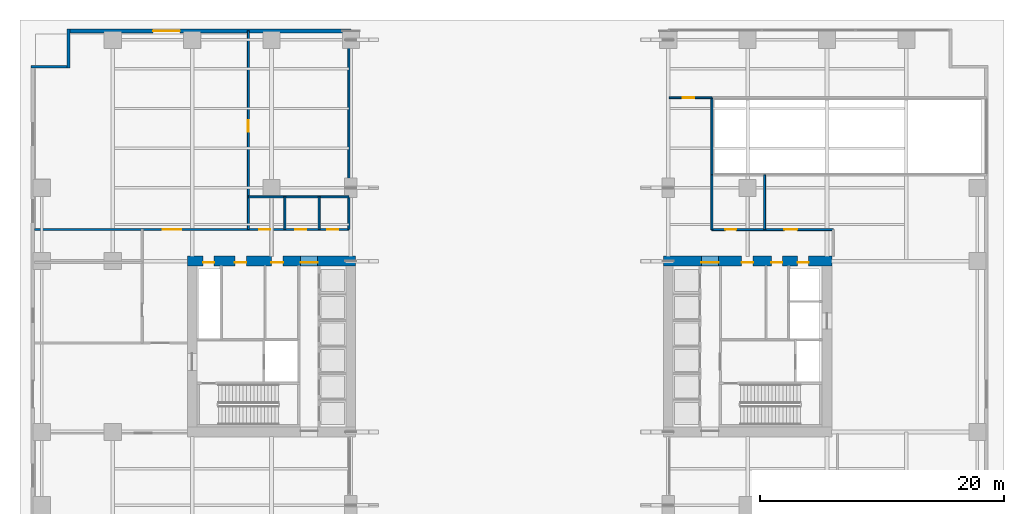
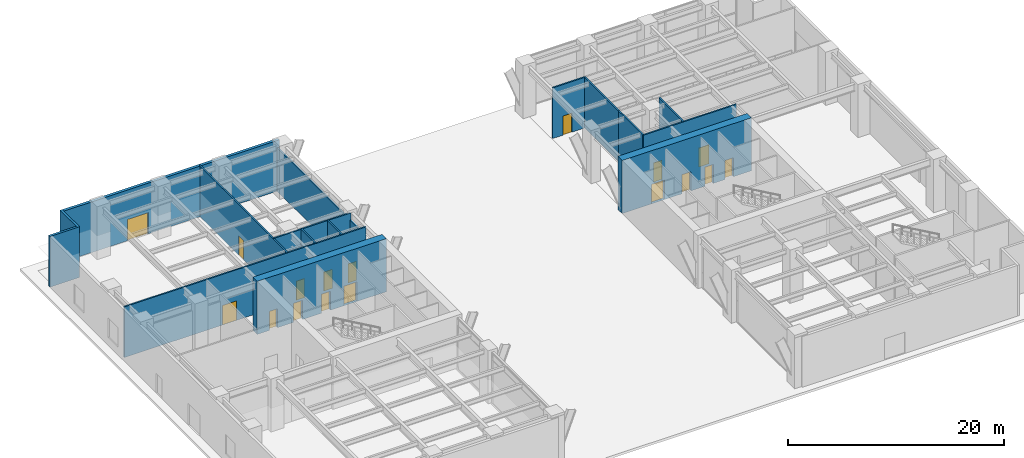
# One storey, part 14 of 20: 17 doors, 16 walls, 17 openings.
"""IFC4 building model written with IfcOpenShell, lengths in metres."""

import ifcopenshell
import ifcopenshell.guid

model = None  # the IFC model being written
_history = None  # IfcOwnerHistory: only IFC2X3 demands one
_inside = {}  # id of a spatial element -> (the spatial element, [elements in it])
_under = {}  # id of a project, library or spatial element -> (it, [spatial elements below it])
_declared = {}  # id of a project -> (the project, [libraries it declares])
_typed = {}  # id of a type object -> (the type object, [elements of that type])
_made_of = {}  # id of a material, layer set ... -> (it, [elements and type objects made of it])


def new_model(schema):
    """Start an empty IFC model of exactly this schema.

    Asked for "IFC4X3", IfcOpenShell would pick the latest addendum, in which some entities
    have other attributes; the version numbers below select the first issue.
    IFC2X3 requires an IfcOwnerHistory on every rooted entity: one is made here for all.
    """
    global model, _history
    if schema == "IFC4X3":
        model = ifcopenshell.file(schema_version=(4, 3, 0, 0))
    else:
        model = ifcopenshell.file(schema=schema)
    _inside.clear()
    _under.clear()
    _declared.clear()
    _typed.clear()
    _made_of.clear()
    _history = None
    if model.schema == "IFC2X3":
        org = make("IfcOrganization", Name="unknown")
        user = make(
            "IfcPersonAndOrganization",
            ThePerson=make("IfcPerson", FamilyName="unknown"),
            TheOrganization=org,
        )
        app = make(
            "IfcApplication",
            ApplicationDeveloper=org,
            Version="unknown",
            ApplicationFullName="unknown",
            ApplicationIdentifier="unknown",
        )
        _history = make(
            "IfcOwnerHistory",
            OwningUser=user,
            OwningApplication=app,
            ChangeAction="ADDED",
            CreationDate=0,
        )
    return model


def make(cls, **values):
    """One entity of the class cls with the attributes given. An attribute that is None is left unset."""
    return model.create_entity(
        cls, **{name: value for name, value in values.items() if value is not None}
    )


def rooted(cls, **values):
    """An entity with a GlobalId (a new one), such as an element, a storey or a relation."""
    return make(cls, GlobalId=ifcopenshell.guid.new(), OwnerHistory=_history, **values)


def si_unit(unit_type, name, prefix=None):
    """IfcSIUnit, for example si_unit("LENGTHUNIT", "METRE", prefix="MILLI")."""
    return make("IfcSIUnit", UnitType=unit_type, Prefix=prefix, Name=name)


def assignment(units):
    """IfcUnitAssignment: the units of a project."""
    return None if units is None else make("IfcUnitAssignment", Units=units)


def point(xyz):
    """IfcCartesianPoint."""
    return None if xyz is None else make("IfcCartesianPoint", Coordinates=xyz)


def direction(xyz):
    """IfcDirection."""
    return None if xyz is None else make("IfcDirection", DirectionRatios=xyz)


def frame(location, z_axis=None, x_axis=None):
    """IfcAxis2Placement3D, a coordinate frame: its origin and axes. An axis left out is left unset."""
    return make(
        "IfcAxis2Placement3D",
        Location=point(location),
        Axis=direction(z_axis),
        RefDirection=direction(x_axis),
    )


def frame_2d(location, x_axis=None):
    """IfcAxis2Placement2D, a coordinate frame in the plane: its origin and x axis."""
    return make(
        "IfcAxis2Placement2D", Location=point(location), RefDirection=direction(x_axis)
    )


def origin():
    """The frame at (0, 0, 0) with its axes left unset."""
    return frame((0.0, 0.0, 0.0))


def place(relative_to, where):
    """IfcLocalPlacement: puts the frame where relative to a parent placement (None: the world)."""
    return make(
        "IfcLocalPlacement", PlacementRelTo=relative_to, RelativePlacement=where
    )


def context(
    kind, dimensions, precision=None, world=None, true_north=None, identifier=None
):
    """IfcGeometricRepresentationContext, for example the 3D "Model" context."""
    return make(
        "IfcGeometricRepresentationContext",
        ContextIdentifier=identifier,
        ContextType=kind,
        CoordinateSpaceDimension=dimensions,
        Precision=precision,
        WorldCoordinateSystem=world,
        TrueNorth=true_north,
    )


def subcontext(parent, identifier, kind, view, scale=None):
    """IfcGeometricRepresentationSubContext, for example "Body" below "Model"."""
    return make(
        "IfcGeometricRepresentationSubContext",
        ContextIdentifier=identifier,
        ContextType=kind,
        ParentContext=parent,
        TargetScale=scale,
        TargetView=view,
    )


def project(units=None, contexts=None):
    """IfcProject with its units and contexts."""
    return rooted(
        "IfcProject",
        Name="project",
        RepresentationContexts=contexts,
        UnitsInContext=assignment(units),
    )


def spatial(cls, under=None, at=None, **own):
    """A site, building, storey or space (cls), placed at a placement, below another one or the project."""
    s = rooted(cls, ObjectPlacement=at, **own)
    if under is not None:
        _under.setdefault(under.id(), (under, []))[1].append(s)
    return s


def profile(cls, at=None, kind="AREA", **sizes):
    """A parametric profile (cls). Its sizes go by their IFC names, for example OverallWidth=200.0."""
    return make(cls, ProfileType=kind, Position=at, **sizes)


def rectangle(**sizes):
    """IfcRectangleProfileDef."""
    return profile("IfcRectangleProfileDef", **sizes)


def extrude(swept, where, along, depth):
    """IfcExtrudedAreaSolid: the profile swept, set in the frame where, extruded along a direction by depth."""
    return make(
        "IfcExtrudedAreaSolid",
        SweptArea=swept,
        Position=where,
        ExtrudedDirection=direction(along),
        Depth=depth,
    )


def shape(context_of_items, identifier, shape_type, items):
    """IfcShapeRepresentation: the items that make up one representation, for example the "Body"."""
    return make(
        "IfcShapeRepresentation",
        ContextOfItems=context_of_items,
        RepresentationIdentifier=identifier,
        RepresentationType=shape_type,
        Items=items,
    )


def material(Name=None, Category=None):
    """IfcMaterial."""
    return make("IfcMaterial", Name=Name, Category=Category)


def layer(
    of_material, thickness, ventilated=None, Name=None, Category=None, Priority=None
):
    """IfcMaterialLayer: one layer of a wall or slab, of a material (None: an air gap)."""
    return make(
        "IfcMaterialLayer",
        Material=of_material,
        LayerThickness=thickness,
        IsVentilated=ventilated,
        Name=Name,
        Category=Category,
        Priority=Priority,
    )


def layer_set(layers, Name=None):
    """IfcMaterialLayerSet."""
    return make("IfcMaterialLayerSet", MaterialLayers=layers, LayerSetName=Name)


def made_of(thing, what):
    """Note that an element or type object is made of a material, layer set ...; save() writes the relation."""
    if what is not None:
        _made_of.setdefault(what.id(), (what, []))[1].append(thing)
    return thing


def type_object(cls, material=None, **own):
    """A type object (cls), such as IfcWallType, which elements share."""
    return made_of(rooted(cls, **own), material)


def element(
    cls,
    number,
    at=None,
    inside=None,
    cuts=None,
    type_object=None,
    material=None,
    context=None,
    identifier="Body",
    shape_type=None,
    held_by="IfcProductDefinitionShape",
    body=None,
    shapes=None,
    **own,
):
    """One element of the class cls, such as IfcWall. Its Tag is "e" and its number.

    at: its placement. inside: the storey or other place that contains it. cuts: it is an
    opening in that element (IfcRelVoidsElement). A single representation is given by context,
    identifier, shape_type and body (its items); several are given by shapes. held_by: the class
    of the entity that holds the representations. save() writes the other relations.
    """
    e = rooted(cls, Tag="e%d" % number, ObjectPlacement=at, **own)
    if body is not None:
        shapes = [shape(context, identifier, shape_type, body)]
    if shapes is not None:
        e.Representation = make(held_by, Representations=shapes)
    if inside is not None:
        _inside.setdefault(inside.id(), (inside, []))[1].append(e)
    if cuts is not None:
        rooted(
            "IfcRelVoidsElement", RelatingBuildingElement=cuts, RelatedOpeningElement=e
        )
    if type_object is not None:
        _typed.setdefault(type_object.id(), (type_object, []))[1].append(e)
    return made_of(e, material)


def fill(opening, filler):
    """IfcRelFillsElement: the door or window that sits in an opening."""
    return rooted(
        "IfcRelFillsElement",
        RelatingOpeningElement=opening,
        RelatedBuildingElement=filler,
    )


def aggregate(whole, parts):
    """IfcRelAggregates: a whole, such as a stair, and the parts it consists of."""
    return rooted("IfcRelAggregates", RelatingObject=whole, RelatedObjects=parts)


def save(model, path):
    """Write the relations noted so far, then the file.

    IfcRelAggregates (storeys below a building ...), IfcRelContainedInSpatialStructure (elements
    in a storey), IfcRelDefinesByType, IfcRelAssociatesMaterial and IfcRelDeclares: one each for
    every whole, place, type object, material and project.
    """
    for whole, parts in _under.values():
        aggregate(whole, parts)
    for where, things in _inside.values():
        rooted(
            "IfcRelContainedInSpatialStructure",
            RelatedElements=things,
            RelatingStructure=where,
        )
    for kind, things in _typed.values():
        rooted("IfcRelDefinesByType", RelatedObjects=things, RelatingType=kind)
    for what, things in _made_of.values():
        rooted("IfcRelAssociatesMaterial", RelatedObjects=things, RelatingMaterial=what)
    for by, libraries in _declared.values():
        rooted("IfcRelDeclares", RelatingContext=by, RelatedDefinitions=libraries)
    model.write(path)


model = new_model("IFC4")

# Units and contexts
model_context = context("Model", 3, precision=1e-05, world=origin(), true_north=direction((0.0, 1.0)))
body_context = subcontext(model_context, "Body", "Model", "MODEL_VIEW")
ifc_project = project(units=[si_unit("LENGTHUNIT", "METRE"), si_unit("AREAUNIT", "SQUARE_METRE"), si_unit("VOLUMEUNIT", "CUBIC_METRE"), si_unit("PLANEANGLEUNIT", "RADIAN"), si_unit("MASSUNIT", "GRAM", prefix="KILO")], contexts=[model_context])

# Site, building, storey
site_placement = place(None, origin())
site = spatial("IfcSite", under=ifc_project, at=site_placement, CompositionType="ELEMENT")
building_placement = place(site_placement, origin())
building = spatial("IfcBuilding", under=site, at=building_placement, Name="Putna Gate Headquarters", CompositionType="ELEMENT")
storey_placement = place(building_placement, origin())
storey = spatial("IfcBuildingStorey", under=building, at=storey_placement, Name="L00", CompositionType="ELEMENT", Elevation=0.0)

# Wall, openings, doors
ifc_material_1 = material(Name="Concrete C60/75", Category="concrete")
ifc_layer_1 = layer(ifc_material_1, 0.800048828125)
ifc_layer_set_1 = layer_set([ifc_layer_1], Name="Concrete C60/75")
wall_type_1 = type_object("IfcWallType", Name="WALL-CORE-800", PredefinedType="SHEAR", material=ifc_layer_set_1)
wall_1_placement = place(storey_placement, frame((12.60009765625, 33.0, 0.0), z_axis=(0.0, 0.0, 1.0), x_axis=(1.0, 0.0, 0.0)))
wall_1 = element("IfcWall", 1, at=wall_1_placement, inside=storey, type_object=wall_type_1, Name="L00 WC Split Core Shear Wall N", PredefinedType="SHEAR", context=body_context, shape_type="SweptSolid", body=[
    extrude(rectangle(XDim=13.7998046875, YDim=0.800048828125, at=frame_2d((6.89990234375, 0.0))), origin(), (0.0, 0.0, 1.0), 6.0),
])
opening_1_placement = place(wall_1_placement, frame((1.300048828125, 0.0, 0.0)))
opening_1 = element("IfcOpeningElement", 2, at=opening_1_placement, cuts=wall_1, Name="Opening RD-90", PredefinedType="OPENING", context=body_context, shape_type="SweptSolid", body=[
    extrude(rectangle(XDim=0.89990234375, YDim=2.14990234375, at=frame_2d((0.449951171875, 1.074951171875))), frame((0.0, 0.409912109375, 0.0), z_axis=(0.0, -1.0, 0.0), x_axis=(1.0, 0.0, 0.0)), (0.0, 0.0, 1.0), 0.820068359375),
])
opening_2_placement = place(wall_1_placement, frame((3.89990234375, 0.0, 0.0)))
opening_2 = element("IfcOpeningElement", 3, at=opening_2_placement, cuts=wall_1, Name="Opening IDS-95", PredefinedType="OPENING", context=body_context, shape_type="SweptSolid", body=[
    extrude(rectangle(XDim=0.949951171875, YDim=2.14990234375, at=frame_2d((0.47509765625, 1.074951171875))), frame((0.0, 0.409912109375, 0.0), z_axis=(0.0, -1.0, 0.0), x_axis=(1.0, 0.0, 0.0)), (0.0, 0.0, 1.0), 0.820068359375),
])
opening_3_placement = place(wall_1_placement, frame((6.89990234375, 0.0, 0.0)))
opening_3 = element("IfcOpeningElement", 4, at=opening_3_placement, cuts=wall_1, Name="Opening IDS-95", PredefinedType="OPENING", context=body_context, shape_type="SweptSolid", body=[
    extrude(rectangle(XDim=0.949951171875, YDim=2.14990234375, at=frame_2d((0.47509765625, 1.074951171875))), frame((0.0, 0.409912109375, 0.0), z_axis=(0.0, -1.0, 0.0), x_axis=(1.0, 0.0, 0.0)), (0.0, 0.0, 1.0), 0.820068359375),
])
opening_4_placement = place(wall_1_placement, frame((9.280029296875, 0.0, 0.0)))
opening_4 = element("IfcOpeningElement", 5, at=opening_4_placement, cuts=wall_1, Name="Opening FDD-140", PredefinedType="OPENING", context=body_context, shape_type="SweptSolid", body=[
    extrude(rectangle(XDim=1.39990234375, YDim=2.199951171875, at=frame_2d((0.699951171875, 1.10009765625))), frame((0.0, 0.409912109375, 0.0), z_axis=(0.0, -1.0, 0.0), x_axis=(1.0, 0.0, 0.0)), (0.0, 0.0, 1.0), 0.820068359375),
])
ifc_material_2 = material(Name="Double steel fire door", Category="steel")
door_type_1 = type_object("IfcDoorType", Name="DOOR-FIRE-DBL-1400", OperationType="DOUBLE_DOOR_SINGLE_SWING", PredefinedType="DOOR", material=ifc_material_2)
door_1_placement = place(opening_4_placement, origin())
door_1 = element("IfcDoor", 6, at=door_1_placement, inside=storey, type_object=door_type_1, Name="L00 West Lift Lobby North Door", OperationType="DOUBLE_DOOR_SINGLE_SWING", OverallHeight=2.199951171875, OverallWidth=1.39990234375, PredefinedType="DOOR", context=body_context, shape_type="SweptSolid", body=[
    extrude(rectangle(XDim=1.39990234375, YDim=2.199951171875, at=frame_2d((0.699951171875, 1.10009765625))), frame((0.0, -0.0751953125, 0.0), z_axis=(0.0, -1.0, 0.0), x_axis=(1.0, 0.0, 0.0)), (0.0, 0.0, 1.0), 0.050048828125),
])
fill(opening_4, door_1)
ifc_material_3 = material(Name="Fire-rated service timber door", Category="wood")
door_type_2 = type_object("IfcDoorType", Name="DOOR-INT-950", OperationType="NOTDEFINED", PredefinedType="DOOR", material=ifc_material_3)
door_2_placement = place(opening_2_placement, origin())
door_2 = element("IfcDoor", 7, at=door_2_placement, inside=storey, type_object=door_type_2, Name="L00 Cleaner Store Door", OperationType="SINGLE_SWING_LEFT", OverallHeight=2.14990234375, OverallWidth=0.949951171875, PredefinedType="DOOR", context=body_context, shape_type="SweptSolid", body=[
    extrude(rectangle(XDim=0.949951171875, YDim=2.14990234375, at=frame_2d((0.47509765625, 1.074951171875))), frame((0.0, -0.0751953125, 0.0), z_axis=(0.0, -1.0, 0.0), x_axis=(1.0, 0.0, 0.0)), (0.0, 0.0, 1.0), 0.050048828125),
])
fill(opening_2, door_2)
door_3_placement = place(opening_3_placement, origin())
door_3 = element("IfcDoor", 8, at=door_3_placement, inside=storey, type_object=door_type_2, Name="L00 Comms Plant Door", OperationType="SINGLE_SWING_RIGHT", OverallHeight=2.14990234375, OverallWidth=0.949951171875, PredefinedType="DOOR", context=body_context, shape_type="SweptSolid", body=[
    extrude(rectangle(XDim=0.949951171875, YDim=2.14990234375, at=frame_2d((0.47509765625, 1.074951171875))), frame((0.0, -0.0751953125, 0.0), z_axis=(0.0, -1.0, 0.0), x_axis=(1.0, 0.0, 0.0)), (0.0, 0.0, 1.0), 0.050048828125),
])
fill(opening_3, door_3)
ifc_material_4 = material(Name="Steel riser access fire door", Category="steel")
door_type_3 = type_object("IfcDoorType", Name="DOOR-RISER-900", OperationType="NOTDEFINED", PredefinedType="DOOR", material=ifc_material_4)
door_4_placement = place(opening_1_placement, origin())
door_4 = element("IfcDoor", 9, at=door_4_placement, inside=storey, type_object=door_type_3, Name="L00 West Riser Access Door", OperationType="SINGLE_SWING_RIGHT", OverallHeight=2.14990234375, OverallWidth=0.89990234375, PredefinedType="DOOR", context=body_context, shape_type="SweptSolid", body=[
    extrude(rectangle(XDim=0.89990234375, YDim=2.14990234375, at=frame_2d((0.449951171875, 1.074951171875))), frame((0.0, -0.0751953125, 0.0), z_axis=(0.0, -1.0, 0.0), x_axis=(1.0, 0.0, 0.0)), (0.0, 0.0, 1.0), 0.050048828125),
])
fill(opening_1, door_4)

wall_2_placement = place(storey_placement, frame((51.60009765625, 33.0, 0.0), z_axis=(0.0, 0.0, 1.0), x_axis=(1.0, 0.0, 0.0)))
wall_2 = element("IfcWall", 10, at=wall_2_placement, inside=storey, type_object=wall_type_1, Name="L00 EC Split Core Shear Wall N", PredefinedType="SHEAR", context=body_context, shape_type="SweptSolid", body=[
    extrude(rectangle(XDim=13.7998046875, YDim=0.800048828125, at=frame_2d((6.89990234375, 0.0))), origin(), (0.0, 0.0, 1.0), 6.0),
])
opening_5_placement = place(wall_2_placement, frame((3.1201171875, 0.0, 0.0)))
opening_5 = element("IfcOpeningElement", 11, at=opening_5_placement, cuts=wall_2, Name="Opening FDD-140", PredefinedType="OPENING", context=body_context, shape_type="SweptSolid", body=[
    extrude(rectangle(XDim=1.39990234375, YDim=2.199951171875, at=frame_2d((0.699951171875, 1.10009765625))), frame((0.0, 0.409912109375, 0.0), z_axis=(0.0, -1.0, 0.0), x_axis=(1.0, 0.0, 0.0)), (0.0, 0.0, 1.0), 0.820068359375),
])
opening_6_placement = place(wall_2_placement, frame((11.0, 0.0, 0.0)))
opening_6 = element("IfcOpeningElement", 12, at=opening_6_placement, cuts=wall_2, Name="Opening RD-90", PredefinedType="OPENING", context=body_context, shape_type="SweptSolid", body=[
    extrude(rectangle(XDim=0.89990234375, YDim=2.14990234375, at=frame_2d((0.449951171875, 1.074951171875))), frame((0.0, 0.409912109375, 0.0), z_axis=(0.0, -1.0, 0.0), x_axis=(1.0, 0.0, 0.0)), (0.0, 0.0, 1.0), 0.820068359375),
])
opening_7_placement = place(wall_2_placement, frame((6.39990234375, 0.0, 0.0)))
opening_7 = element("IfcOpeningElement", 13, at=opening_7_placement, cuts=wall_2, Name="Opening IDS-95", PredefinedType="OPENING", context=body_context, shape_type="SweptSolid", body=[
    extrude(rectangle(XDim=0.949951171875, YDim=2.14990234375, at=frame_2d((0.47509765625, 1.074951171875))), frame((0.0, 0.409912109375, 0.0), z_axis=(0.0, -1.0, 0.0), x_axis=(1.0, 0.0, 0.0)), (0.0, 0.0, 1.0), 0.820068359375),
])
opening_8_placement = place(wall_2_placement, frame((8.85009765625, 0.0, 0.0)))
opening_8 = element("IfcOpeningElement", 14, at=opening_8_placement, cuts=wall_2, Name="Opening IDS-90", PredefinedType="OPENING", context=body_context, shape_type="SweptSolid", body=[
    extrude(rectangle(XDim=0.89990234375, YDim=2.14990234375, at=frame_2d((0.449951171875, 1.074951171875))), frame((0.0, 0.409912109375, 0.0), z_axis=(0.0, -1.0, 0.0), x_axis=(1.0, 0.0, 0.0)), (0.0, 0.0, 1.0), 0.820068359375),
])
door_5_placement = place(opening_5_placement, origin())
door_5 = element("IfcDoor", 15, at=door_5_placement, inside=storey, type_object=door_type_1, Name="L00 East Lift Lobby North Door", OperationType="DOUBLE_DOOR_SINGLE_SWING", OverallHeight=2.199951171875, OverallWidth=1.39990234375, PredefinedType="DOOR", context=body_context, shape_type="SweptSolid", body=[
    extrude(rectangle(XDim=1.39990234375, YDim=2.199951171875, at=frame_2d((0.699951171875, 1.10009765625))), frame((0.0, -0.0751953125, 0.0), z_axis=(0.0, -1.0, 0.0), x_axis=(1.0, 0.0, 0.0)), (0.0, 0.0, 1.0), 0.050048828125),
])
fill(opening_5, door_5)
ifc_material_5 = material(Name="Fire-rated utility door")
door_type_4 = type_object("IfcDoorType", Name="DOOR-INT-900", OperationType="NOTDEFINED", PredefinedType="DOOR", material=ifc_material_5)
door_6_placement = place(opening_8_placement, origin())
door_6 = element("IfcDoor", 16, at=door_6_placement, inside=storey, type_object=door_type_4, Name="L00 Electrical Plant Door", OperationType="SINGLE_SWING_LEFT", OverallHeight=2.14990234375, OverallWidth=0.89990234375, PredefinedType="DOOR", context=body_context, shape_type="SweptSolid", body=[
    extrude(rectangle(XDim=0.89990234375, YDim=2.14990234375, at=frame_2d((0.449951171875, 1.074951171875))), frame((0.0, -0.0751953125, 0.0), z_axis=(0.0, -1.0, 0.0), x_axis=(1.0, 0.0, 0.0)), (0.0, 0.0, 1.0), 0.050048828125),
])
fill(opening_8, door_6)
door_7_placement = place(opening_7_placement, origin())
door_7 = element("IfcDoor", 17, at=door_7_placement, inside=storey, type_object=door_type_2, Name="L00 East Store Door", OperationType="SINGLE_SWING_RIGHT", OverallHeight=2.14990234375, OverallWidth=0.949951171875, PredefinedType="DOOR", context=body_context, shape_type="SweptSolid", body=[
    extrude(rectangle(XDim=0.949951171875, YDim=2.14990234375, at=frame_2d((0.47509765625, 1.074951171875))), frame((0.0, -0.0751953125, 0.0), z_axis=(0.0, -1.0, 0.0), x_axis=(1.0, 0.0, 0.0)), (0.0, 0.0, 1.0), 0.050048828125),
])
fill(opening_7, door_7)
door_8_placement = place(opening_6_placement, origin())
door_8 = element("IfcDoor", 18, at=door_8_placement, inside=storey, type_object=door_type_3, Name="L00 East Riser Access Door", OperationType="SINGLE_SWING_LEFT", OverallHeight=2.14990234375, OverallWidth=0.89990234375, PredefinedType="DOOR", context=body_context, shape_type="SweptSolid", body=[
    extrude(rectangle(XDim=0.89990234375, YDim=2.14990234375, at=frame_2d((0.449951171875, 1.074951171875))), frame((0.0, -0.0751953125, 0.0), z_axis=(0.0, -1.0, 0.0), x_axis=(1.0, 0.0, 0.0)), (0.0, 0.0, 1.0), 0.050048828125),
])
fill(opening_6, door_8)

# Wall, opening, door
ifc_material_6 = material(Name="Precast concrete C40/50", Category="concrete")
ifc_layer_2 = layer(ifc_material_6, 0.300048828125)
ifc_layer_set_2 = layer_set([ifc_layer_2], Name="Precast concrete C40/50")
wall_type_2 = type_object("IfcWallType", Name="WALL-EXT-POD-300", PredefinedType="STANDARD", material=ifc_layer_set_2)
wall_3_placement = place(storey_placement, frame((3.0, 51.85009765625, 0.0), z_axis=(0.0, 0.0, 1.0), x_axis=(1.0, 0.0, 0.0)))
wall_3 = element("IfcWall", 19, at=wall_3_placement, inside=storey, type_object=wall_type_2, Name="L00 North West Exterior Precast Wall", PredefinedType="STANDARD", context=body_context, shape_type="SweptSolid", body=[
    extrude(rectangle(XDim=23.0, YDim=0.300048828125, at=frame_2d((11.5, 0.0))), origin(), (0.0, 0.0, 1.0), 5.719970703125),
])
opening_9_placement = place(wall_3_placement, frame((6.800048828125, 0.0, 0.0)))
opening_9 = element("IfcOpeningElement", 20, at=opening_9_placement, cuts=wall_3, Name="Opening ED-02", PredefinedType="OPENING", context=body_context, shape_type="SweptSolid", body=[
    extrude(rectangle(XDim=2.199951171875, YDim=2.39990234375, at=frame_2d((1.10009765625, 1.199951171875))), frame((0.0, 0.159912109375, 0.0), z_axis=(0.0, -1.0, 0.0), x_axis=(1.0, 0.0, 0.0)), (0.0, 0.0, 1.0), 0.320068359375),
])
ifc_material_7 = material(Name="Anodised bronze aluminium glazed exit door", Category="aluminium")
door_type_5 = type_object("IfcDoorType", Name="DOOR-FINAL-ED-02", OperationType="DOUBLE_DOOR_SINGLE_SWING", PredefinedType="DOOR", material=ifc_material_7)
door_9_placement = place(opening_9_placement, origin())
door_9 = element("IfcDoor", 21, at=door_9_placement, inside=storey, type_object=door_type_5, Name="L00 Final Exit Discharge Door ED-02", OperationType="DOUBLE_DOOR_SINGLE_SWING", OverallHeight=2.39990234375, OverallWidth=2.199951171875, PredefinedType="DOOR", context=body_context, shape_type="SweptSolid", body=[
    extrude(rectangle(XDim=2.199951171875, YDim=2.39990234375, at=frame_2d((1.10009765625, 1.199951171875))), frame((0.0, 0.02490234375, 0.0), z_axis=(0.0, -1.0, 0.0), x_axis=(1.0, 0.0, 0.0)), (0.0, 0.0, 1.0), 0.050048828125),
])
fill(opening_9, door_9)

# Walls
ifc_layer_3 = layer(ifc_material_6, 0.239990234375)
ifc_layer_set_3 = layer_set([ifc_layer_3], Name="Precast concrete C40/50")
wall_type_3 = type_object("IfcWallType", Name="WALL-EXT-TERR-240", PredefinedType="STANDARD", material=ifc_layer_set_3)
for number, where, z_axis, x_axis, name in (
    (22, (2.8798828125, 48.800048828125, 0.0), (0.0, 0.0, 1.0), (0.0, 1.0, 0.0), "L00 Corner Notch Return Wall NW-V"),
    (23, (-0.199951171875, 48.919921875, 0.0), (0.0, 0.0, 1.0), (1.0, 0.0, 0.0), "L00 Corner Notch Return Wall NW-H"),
):
    element("IfcWall", number, at=place(storey_placement, frame(where, z_axis=z_axis, x_axis=x_axis)), inside=storey, type_object=wall_type_3, Name=name, PredefinedType="STANDARD", context=body_context, shape_type="SweptSolid", body=[
        extrude(rectangle(XDim=3.199951171875, YDim=0.239990234375, at=frame_2d((1.60009765625, 0.0))), origin(), (0.0, 0.0, 1.0), 5.719970703125),
    ])

# Wall, openings, doors
ifc_material_8 = material(Name="Concrete C40/50", Category="concrete")
ifc_layer_4 = layer(ifc_material_8, 0.159912109375)
ifc_layer_set_4 = layer_set([ifc_layer_4], Name="Concrete C40/50")
wall_type_4 = type_object("IfcWallType", Name="WALL-SHAFT-160", PredefinedType="STANDARD", material=ifc_layer_set_4)
wall_4_placement = place(storey_placement, frame((0.10009765625, 35.60009765625, 0.0), z_axis=(0.0, 0.0, 1.0), x_axis=(1.0, 0.0, 0.0)))
wall_4 = element("IfcWall", 24, at=wall_4_placement, inside=storey, type_object=wall_type_4, Name="L00 Interior Wall PART-L00-WN-CW", PredefinedType="STANDARD", context=body_context, shape_type="SweptSolid", body=[
    extrude(rectangle(XDim=25.81982421875, YDim=0.159912109375, at=frame_2d((12.909912109375, 0.0))), origin(), (0.0, 0.0, 1.0), 5.719970703125),
])
opening_10_placement = place(wall_4_placement, frame((10.5, 0.0, 0.0)))
opening_10 = element("IfcOpeningElement", 25, at=opening_10_placement, cuts=wall_4, Name="Opening FDD-150", PredefinedType="OPENING", context=body_context, shape_type="SweptSolid", body=[
    extrude(rectangle(XDim=1.5, YDim=2.199951171875, at=frame_2d((0.75, 1.10009765625))), frame((0.0, 0.08984375, 0.0), z_axis=(0.0, -1.0, 0.0), x_axis=(1.0, 0.0, 0.0)), (0.0, 0.0, 1.0), 0.179931640625),
])
opening_11_placement = place(wall_4_placement, frame((18.39990234375, 0.0, 0.0)))
opening_11 = element("IfcOpeningElement", 26, at=opening_11_placement, cuts=wall_4, Name="Opening IDS-90", PredefinedType="OPENING", context=body_context, shape_type="SweptSolid", body=[
    extrude(rectangle(XDim=0.89990234375, YDim=2.14990234375, at=frame_2d((0.449951171875, 1.074951171875))), frame((0.0, 0.08984375, 0.0), z_axis=(0.0, -1.0, 0.0), x_axis=(1.0, 0.0, 0.0)), (0.0, 0.0, 1.0), 0.179931640625),
])
opening_12_placement = place(wall_4_placement, frame((21.35009765625, 0.0, 0.0)))
opening_12 = element("IfcOpeningElement", 27, at=opening_12_placement, cuts=wall_4, Name="Opening IDS-90", PredefinedType="OPENING", context=body_context, shape_type="SweptSolid", body=[
    extrude(rectangle(XDim=0.89990234375, YDim=2.14990234375, at=frame_2d((0.449951171875, 1.074951171875))), frame((0.0, 0.08984375, 0.0), z_axis=(0.0, -1.0, 0.0), x_axis=(1.0, 0.0, 0.0)), (0.0, 0.0, 1.0), 0.179931640625),
])
opening_13_placement = place(wall_4_placement, frame((23.949951171875, 0.0, 0.0)))
opening_13 = element("IfcOpeningElement", 28, at=opening_13_placement, cuts=wall_4, Name="Opening IDS-90", PredefinedType="OPENING", context=body_context, shape_type="SweptSolid", body=[
    extrude(rectangle(XDim=0.89990234375, YDim=2.14990234375, at=frame_2d((0.449951171875, 1.074951171875))), frame((0.0, 0.08984375, 0.0), z_axis=(0.0, -1.0, 0.0), x_axis=(1.0, 0.0, 0.0)), (0.0, 0.0, 1.0), 0.179931640625),
])
ifc_material_9 = material(Name="Double glazed lobby fire door")
door_type_6 = type_object("IfcDoorType", Name="DOOR-FIRE-DBL-1500", OperationType="DOUBLE_DOOR_SINGLE_SWING", PredefinedType="DOOR", material=ifc_material_9)
door_10_placement = place(opening_10_placement, origin())
door_10 = element("IfcDoor", 29, at=door_10_placement, inside=storey, type_object=door_type_6, Name="L00 Exhibition Gallery Door", OperationType="DOUBLE_DOOR_SINGLE_SWING", OverallHeight=2.199951171875, OverallWidth=1.5, PredefinedType="DOOR", context=body_context, shape_type="SweptSolid", body=[
    extrude(rectangle(XDim=1.5, YDim=2.199951171875, at=frame_2d((0.75, 1.10009765625))), frame((0.0, 0.02490234375, 0.0), z_axis=(0.0, -1.0, 0.0), x_axis=(1.0, 0.0, 0.0)), (0.0, 0.0, 1.0), 0.050048828125),
])
fill(opening_10, door_10)
door_11_placement = place(opening_11_placement, origin())
door_11 = element("IfcDoor", 30, at=door_11_placement, inside=storey, type_object=door_type_4, Name="L00 West Male WC Door", OperationType="SINGLE_SWING_LEFT", OverallHeight=2.14990234375, OverallWidth=0.89990234375, PredefinedType="DOOR", context=body_context, shape_type="SweptSolid", body=[
    extrude(rectangle(XDim=0.89990234375, YDim=2.14990234375, at=frame_2d((0.449951171875, 1.074951171875))), frame((0.0, 0.02490234375, 0.0), z_axis=(0.0, -1.0, 0.0), x_axis=(1.0, 0.0, 0.0)), (0.0, 0.0, 1.0), 0.050048828125),
])
fill(opening_11, door_11)
door_12_placement = place(opening_12_placement, origin())
door_12 = element("IfcDoor", 31, at=door_12_placement, inside=storey, type_object=door_type_4, Name="L00 West Female WC Door", OperationType="SINGLE_SWING_LEFT", OverallHeight=2.14990234375, OverallWidth=0.89990234375, PredefinedType="DOOR", context=body_context, shape_type="SweptSolid", body=[
    extrude(rectangle(XDim=0.89990234375, YDim=2.14990234375, at=frame_2d((0.449951171875, 1.074951171875))), frame((0.0, 0.02490234375, 0.0), z_axis=(0.0, -1.0, 0.0), x_axis=(1.0, 0.0, 0.0)), (0.0, 0.0, 1.0), 0.050048828125),
])
fill(opening_12, door_12)
door_13_placement = place(opening_13_placement, origin())
door_13 = element("IfcDoor", 32, at=door_13_placement, inside=storey, type_object=door_type_4, Name="L00 West Accessible WC Door", OperationType="SINGLE_SWING_LEFT", OverallHeight=2.14990234375, OverallWidth=0.89990234375, PredefinedType="DOOR", context=body_context, shape_type="SweptSolid", body=[
    extrude(rectangle(XDim=0.89990234375, YDim=2.14990234375, at=frame_2d((0.449951171875, 1.074951171875))), frame((0.0, 0.02490234375, 0.0), z_axis=(0.0, -1.0, 0.0), x_axis=(1.0, 0.0, 0.0)), (0.0, 0.0, 1.0), 0.050048828125),
])
fill(opening_13, door_13)

# Wall
wall_5_placement = place(storey_placement, frame((25.840087890625, 35.60009765625, 0.0), z_axis=(0.0, 0.0, 1.0), x_axis=(0.0, 1.0, 0.0)))
element("IfcWall", 33, at=wall_5_placement, inside=storey, type_object=wall_type_4, Name="L00 Interior Wall PART-L00-WC-E", PredefinedType="STANDARD", context=body_context, shape_type="SweptSolid", body=[
    extrude(rectangle(XDim=16.25, YDim=0.159912109375, at=frame_2d((8.125, 0.0))), origin(), (0.0, 0.0, 1.0), 4.919921875),
])

# Wall, opening, door
wall_6_placement = place(storey_placement, frame((17.60009765625, 35.60009765625, 0.0), z_axis=(0.0, 0.0, 1.0), x_axis=(0.0, 1.0, 0.0)))
wall_6 = element("IfcWall", 34, at=wall_6_placement, inside=storey, type_object=wall_type_4, Name="L00 Interior Wall PART-L00-EXH-E", PredefinedType="STANDARD", context=body_context, shape_type="SweptSolid", body=[
    extrude(rectangle(XDim=16.25, YDim=0.159912109375, at=frame_2d((8.125, 0.0))), origin(), (0.0, 0.0, 1.0), 5.719970703125),
])
opening_14_placement = place(wall_6_placement, frame((8.0, 0.0, 0.0)))
opening_14 = element("IfcOpeningElement", 35, at=opening_14_placement, cuts=wall_6, Name="Opening IDS-95", PredefinedType="OPENING", context=body_context, shape_type="SweptSolid", body=[
    extrude(rectangle(XDim=0.949951171875, YDim=2.14990234375, at=frame_2d((0.47509765625, 1.074951171875))), frame((0.0, 0.08984375, 0.0), z_axis=(0.0, -1.0, 0.0), x_axis=(1.0, 0.0, 0.0)), (0.0, 0.0, 1.0), 0.179931640625),
])
door_14_placement = place(opening_14_placement, origin())
door_14 = element("IfcDoor", 36, at=door_14_placement, inside=storey, type_object=door_type_2, Name="L00 Visitor Concierge Door", OperationType="SINGLE_SWING_LEFT", OverallHeight=2.14990234375, OverallWidth=0.949951171875, PredefinedType="DOOR", context=body_context, shape_type="SweptSolid", body=[
    extrude(rectangle(XDim=0.949951171875, YDim=2.14990234375, at=frame_2d((0.47509765625, 1.074951171875))), frame((0.0, 0.02490234375, 0.0), z_axis=(0.0, -1.0, 0.0), x_axis=(1.0, 0.0, 0.0)), (0.0, 0.0, 1.0), 0.050048828125),
])
fill(opening_14, door_14)

# Walls
for number, where, z_axis, x_axis, name in (
    (37, (20.60009765625, 35.60009765625, 0.0), (0.0, 0.0, 1.0), (0.0, 1.0, 0.0), "L00 Interior Wall PART-L00-WCDIV1"),
    (38, (23.39990234375, 35.60009765625, 0.0), (0.0, 0.0, 1.0), (0.0, 1.0, 0.0), "L00 Interior Wall PART-L00-WCDIV2"),
):
    element("IfcWall", number, at=place(storey_placement, frame(where, z_axis=z_axis, x_axis=x_axis)), inside=storey, type_object=wall_type_4, Name=name, PredefinedType="STANDARD", context=body_context, shape_type="SweptSolid", body=[
        extrude(rectangle(XDim=2.659912109375, YDim=0.159912109375, at=frame_2d((1.330078125, 0.0))), origin(), (0.0, 0.0, 1.0), 5.719970703125),
    ])
wall_7_placement = place(storey_placement, frame((17.60009765625, 38.260009765625, 0.0), z_axis=(0.0, 0.0, 1.0), x_axis=(1.0, 0.0, 0.0)))
element("IfcWall", 39, at=wall_7_placement, inside=storey, type_object=wall_type_4, Name="L00 Interior Wall PART-L00-WC-N", PredefinedType="STANDARD", context=body_context, shape_type="SweptSolid", body=[
    extrude(rectangle(XDim=8.239990234375, YDim=0.159912109375, at=frame_2d((4.1201171875, 0.0))), origin(), (0.0, 0.0, 1.0), 5.719970703125),
])
wall_8_placement = place(storey_placement, frame((55.580078125, 40.06005859375, 0.0), z_axis=(0.0, 0.0, 1.0), x_axis=(0.0, 1.0, 0.0)))
element("IfcWall", 40, at=wall_8_placement, inside=storey, type_object=wall_type_4, Name="L00 Interior Wall PART-L00-RAMP-W", PredefinedType="STANDARD", context=body_context, shape_type="SweptSolid", body=[
    extrude(rectangle(XDim=6.31982421875, YDim=0.159912109375, at=frame_2d((3.159912109375, 0.0))), origin(), (0.0, 0.0, 1.0), 5.719970703125),
])
for number, where, z_axis, x_axis, name in (
    (41, (55.580078125, 35.580078125, 0.0), (0.0, 0.0, 1.0), (0.0, 1.0, 0.0), "L00 Interior Wall PART-L00-EWCA-W"),
    (42, (59.89990234375, 35.580078125, 0.0), (0.0, 0.0, 1.0), (0.0, 1.0, 0.0), "L00 Interior Wall PART-L00-EMET-W"),
):
    element("IfcWall", number, at=place(storey_placement, frame(where, z_axis=z_axis, x_axis=x_axis)), inside=storey, type_object=wall_type_4, Name=name, PredefinedType="STANDARD", context=body_context, shape_type="SweptSolid", body=[
        extrude(rectangle(XDim=4.47998046875, YDim=0.159912109375, at=frame_2d((2.239990234375, 0.0))), origin(), (0.0, 0.0, 1.0), 5.719970703125),
    ])

# Wall, openings, doors
wall_9_placement = place(storey_placement, frame((55.580078125, 35.580078125, 0.0), z_axis=(0.0, 0.0, 1.0), x_axis=(1.0, 0.0, 0.0)))
wall_9 = element("IfcWall", 43, at=wall_9_placement, inside=storey, type_object=wall_type_4, Name="L00 Interior Wall PART-L00-EN-CW", PredefinedType="STANDARD", context=body_context, shape_type="SweptSolid", body=[
    extrude(rectangle(XDim=9.919921875, YDim=0.159912109375, at=frame_2d((4.9599609375, 0.0))), origin(), (0.0, 0.0, 1.0), 5.719970703125),
])
opening_15_placement = place(wall_9_placement, frame((1.10009765625, 0.0, 0.0)))
opening_15 = element("IfcOpeningElement", 44, at=opening_15_placement, cuts=wall_9, Name="Opening IDS-90", PredefinedType="OPENING", context=body_context, shape_type="SweptSolid", body=[
    extrude(rectangle(XDim=0.89990234375, YDim=2.14990234375, at=frame_2d((0.449951171875, 1.074951171875))), frame((0.0, 0.08984375, 0.0), z_axis=(0.0, -1.0, 0.0), x_axis=(1.0, 0.0, 0.0)), (0.0, 0.0, 1.0), 0.179931640625),
])
opening_16_placement = place(wall_9_placement, frame((5.89990234375, 0.0, 0.0)))
opening_16 = element("IfcOpeningElement", 45, at=opening_16_placement, cuts=wall_9, Name="Opening IDS-110", PredefinedType="OPENING", context=body_context, shape_type="SweptSolid", body=[
    extrude(rectangle(XDim=1.10009765625, YDim=2.14990234375, at=frame_2d((0.550048828125, 1.074951171875))), frame((0.0, 0.08984375, 0.0), z_axis=(0.0, -1.0, 0.0), x_axis=(1.0, 0.0, 0.0)), (0.0, 0.0, 1.0), 0.179931640625),
])
ifc_material_10 = material(Name="Fire-rated meeting room door")
door_type_7 = type_object("IfcDoorType", Name="DOOR-INT-1100", OperationType="NOTDEFINED", PredefinedType="DOOR", material=ifc_material_10)
door_15_placement = place(opening_16_placement, origin())
door_15 = element("IfcDoor", 46, at=door_15_placement, inside=storey, type_object=door_type_7, Name="L00 Press Briefing Room Door", OperationType="SINGLE_SWING_RIGHT", OverallHeight=2.14990234375, OverallWidth=1.10009765625, PredefinedType="DOOR", context=body_context, shape_type="SweptSolid", body=[
    extrude(rectangle(XDim=1.10009765625, YDim=2.14990234375, at=frame_2d((0.550048828125, 1.074951171875))), frame((0.0, 0.02490234375, 0.0), z_axis=(0.0, -1.0, 0.0), x_axis=(1.0, 0.0, 0.0)), (0.0, 0.0, 1.0), 0.050048828125),
])
fill(opening_16, door_15)
door_16_placement = place(opening_15_placement, origin())
door_16 = element("IfcDoor", 47, at=door_16_placement, inside=storey, type_object=door_type_4, Name="L00 East Accessible WC Door", OperationType="SINGLE_SWING_RIGHT", OverallHeight=2.14990234375, OverallWidth=0.89990234375, PredefinedType="DOOR", context=body_context, shape_type="SweptSolid", body=[
    extrude(rectangle(XDim=0.89990234375, YDim=2.14990234375, at=frame_2d((0.449951171875, 1.074951171875))), frame((0.0, 0.02490234375, 0.0), z_axis=(0.0, -1.0, 0.0), x_axis=(1.0, 0.0, 0.0)), (0.0, 0.0, 1.0), 0.050048828125),
])
fill(opening_15, door_16)

# Wall, opening, door
wall_10_placement = place(storey_placement, frame((52.080078125, 46.3798828125, 0.0), z_axis=(0.0, 0.0, 1.0), x_axis=(1.0, 0.0, 0.0)))
wall_10 = element("IfcWall", 48, at=wall_10_placement, inside=storey, type_object=wall_type_4, Name="L00 Interior Wall PART-L00-ELOG-S", PredefinedType="STANDARD", context=body_context, shape_type="SweptSolid", body=[
    extrude(rectangle(XDim=3.5, YDim=0.159912109375, at=frame_2d((1.75, 0.0))), origin(), (0.0, 0.0, 1.0), 5.719970703125),
])
opening_17_placement = place(wall_10_placement, frame((1.10009765625, 0.0, 0.0)))
opening_17 = element("IfcOpeningElement", 49, at=opening_17_placement, cuts=wall_10, Name="Opening IDS-95", PredefinedType="OPENING", context=body_context, shape_type="SweptSolid", body=[
    extrude(rectangle(XDim=0.949951171875, YDim=2.14990234375, at=frame_2d((0.47509765625, 1.074951171875))), frame((0.0, 0.08984375, 0.0), z_axis=(0.0, -1.0, 0.0), x_axis=(1.0, 0.0, 0.0)), (0.0, 0.0, 1.0), 0.179931640625),
])
door_17_placement = place(opening_17_placement, origin())
door_17 = element("IfcDoor", 50, at=door_17_placement, inside=storey, type_object=door_type_2, Name="L00 Facilities Management Office Door", OperationType="SINGLE_SWING_RIGHT", OverallHeight=2.14990234375, OverallWidth=0.949951171875, PredefinedType="DOOR", context=body_context, shape_type="SweptSolid", body=[
    extrude(rectangle(XDim=0.949951171875, YDim=2.14990234375, at=frame_2d((0.47509765625, 1.074951171875))), frame((0.0, 0.02490234375, 0.0), z_axis=(0.0, -1.0, 0.0), x_axis=(1.0, 0.0, 0.0)), (0.0, 0.0, 1.0), 0.050048828125),
])
fill(opening_17, door_17)

save(model, "model.ifc")
